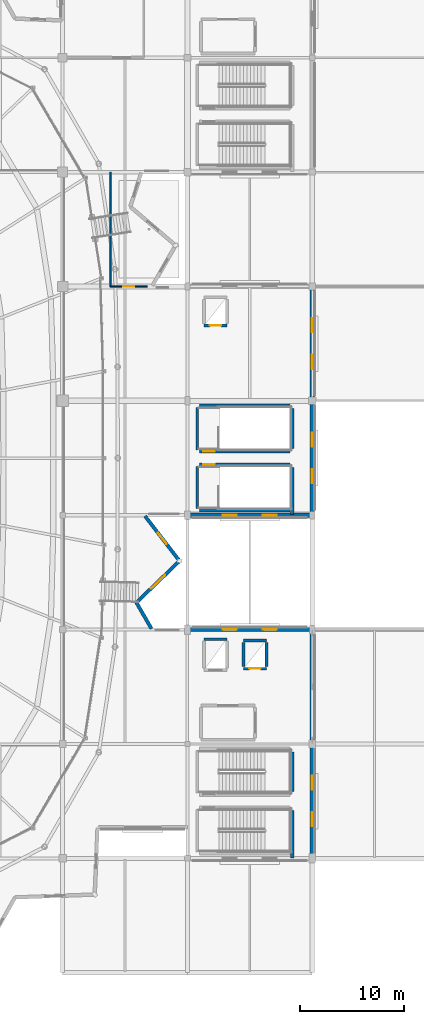
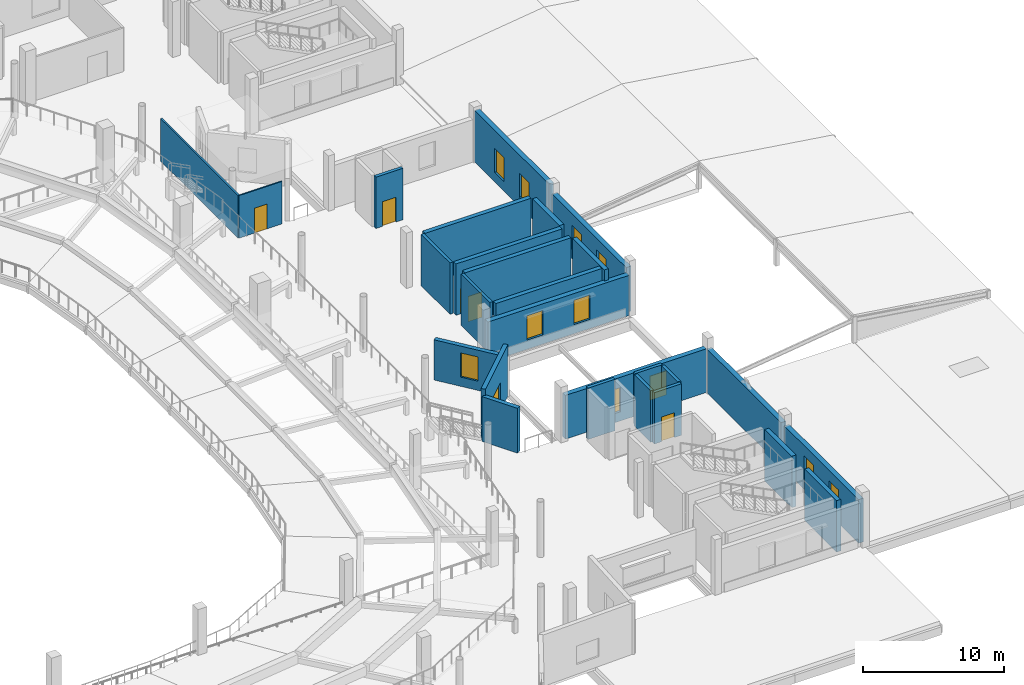
# One storey, part 57 of 77: 27 walls, 12 windows, 5 doors, 17 openings.
"""IFC4 building model written with IfcOpenShell, lengths in metres."""

import ifcopenshell
import ifcopenshell.guid

model = None  # the IFC model being written
_history = None  # IfcOwnerHistory: only IFC2X3 demands one
_inside = {}  # id of a spatial element -> (the spatial element, [elements in it])
_under = {}  # id of a project, library or spatial element -> (it, [spatial elements below it])
_declared = {}  # id of a project -> (the project, [libraries it declares])
_typed = {}  # id of a type object -> (the type object, [elements of that type])
_made_of = {}  # id of a material, layer set ... -> (it, [elements and type objects made of it])


def new_model(schema):
    """Start an empty IFC model of exactly this schema.

    Asked for "IFC4X3", IfcOpenShell would pick the latest addendum, in which some entities
    have other attributes; the version numbers below select the first issue.
    IFC2X3 requires an IfcOwnerHistory on every rooted entity: one is made here for all.
    """
    global model, _history
    if schema == "IFC4X3":
        model = ifcopenshell.file(schema_version=(4, 3, 0, 0))
    else:
        model = ifcopenshell.file(schema=schema)
    _inside.clear()
    _under.clear()
    _declared.clear()
    _typed.clear()
    _made_of.clear()
    _history = None
    if model.schema == "IFC2X3":
        org = make("IfcOrganization", Name="unknown")
        user = make(
            "IfcPersonAndOrganization",
            ThePerson=make("IfcPerson", FamilyName="unknown"),
            TheOrganization=org,
        )
        app = make(
            "IfcApplication",
            ApplicationDeveloper=org,
            Version="unknown",
            ApplicationFullName="unknown",
            ApplicationIdentifier="unknown",
        )
        _history = make(
            "IfcOwnerHistory",
            OwningUser=user,
            OwningApplication=app,
            ChangeAction="ADDED",
            CreationDate=0,
        )
    return model


def make(cls, **values):
    """One entity of the class cls with the attributes given. An attribute that is None is left unset."""
    return model.create_entity(
        cls, **{name: value for name, value in values.items() if value is not None}
    )


def rooted(cls, **values):
    """An entity with a GlobalId (a new one), such as an element, a storey or a relation."""
    return make(cls, GlobalId=ifcopenshell.guid.new(), OwnerHistory=_history, **values)


def si_unit(unit_type, name, prefix=None):
    """IfcSIUnit, for example si_unit("LENGTHUNIT", "METRE", prefix="MILLI")."""
    return make("IfcSIUnit", UnitType=unit_type, Prefix=prefix, Name=name)


def assignment(units):
    """IfcUnitAssignment: the units of a project."""
    return None if units is None else make("IfcUnitAssignment", Units=units)


def point(xyz):
    """IfcCartesianPoint."""
    return None if xyz is None else make("IfcCartesianPoint", Coordinates=xyz)


def direction(xyz):
    """IfcDirection."""
    return None if xyz is None else make("IfcDirection", DirectionRatios=xyz)


def frame(location, z_axis=None, x_axis=None):
    """IfcAxis2Placement3D, a coordinate frame: its origin and axes. An axis left out is left unset."""
    return make(
        "IfcAxis2Placement3D",
        Location=point(location),
        Axis=direction(z_axis),
        RefDirection=direction(x_axis),
    )


def frame_2d(location, x_axis=None):
    """IfcAxis2Placement2D, a coordinate frame in the plane: its origin and x axis."""
    return make(
        "IfcAxis2Placement2D", Location=point(location), RefDirection=direction(x_axis)
    )


def origin():
    """The frame at (0, 0, 0) with its axes left unset."""
    return frame((0.0, 0.0, 0.0))


def place(relative_to, where):
    """IfcLocalPlacement: puts the frame where relative to a parent placement (None: the world)."""
    return make(
        "IfcLocalPlacement", PlacementRelTo=relative_to, RelativePlacement=where
    )


def context(
    kind, dimensions, precision=None, world=None, true_north=None, identifier=None
):
    """IfcGeometricRepresentationContext, for example the 3D "Model" context."""
    return make(
        "IfcGeometricRepresentationContext",
        ContextIdentifier=identifier,
        ContextType=kind,
        CoordinateSpaceDimension=dimensions,
        Precision=precision,
        WorldCoordinateSystem=world,
        TrueNorth=true_north,
    )


def subcontext(parent, identifier, kind, view, scale=None):
    """IfcGeometricRepresentationSubContext, for example "Body" below "Model"."""
    return make(
        "IfcGeometricRepresentationSubContext",
        ContextIdentifier=identifier,
        ContextType=kind,
        ParentContext=parent,
        TargetScale=scale,
        TargetView=view,
    )


def project(units=None, contexts=None):
    """IfcProject with its units and contexts."""
    return rooted(
        "IfcProject",
        Name="project",
        RepresentationContexts=contexts,
        UnitsInContext=assignment(units),
    )


def spatial(cls, under=None, at=None, **own):
    """A site, building, storey or space (cls), placed at a placement, below another one or the project."""
    s = rooted(cls, ObjectPlacement=at, **own)
    if under is not None:
        _under.setdefault(under.id(), (under, []))[1].append(s)
    return s


def profile(cls, at=None, kind="AREA", **sizes):
    """A parametric profile (cls). Its sizes go by their IFC names, for example OverallWidth=200.0."""
    return make(cls, ProfileType=kind, Position=at, **sizes)


def rectangle(**sizes):
    """IfcRectangleProfileDef."""
    return profile("IfcRectangleProfileDef", **sizes)


def extrude(swept, where, along, depth):
    """IfcExtrudedAreaSolid: the profile swept, set in the frame where, extruded along a direction by depth."""
    return make(
        "IfcExtrudedAreaSolid",
        SweptArea=swept,
        Position=where,
        ExtrudedDirection=direction(along),
        Depth=depth,
    )


def shape(context_of_items, identifier, shape_type, items):
    """IfcShapeRepresentation: the items that make up one representation, for example the "Body"."""
    return make(
        "IfcShapeRepresentation",
        ContextOfItems=context_of_items,
        RepresentationIdentifier=identifier,
        RepresentationType=shape_type,
        Items=items,
    )


def material(Name=None, Category=None):
    """IfcMaterial."""
    return make("IfcMaterial", Name=Name, Category=Category)


def layer(
    of_material, thickness, ventilated=None, Name=None, Category=None, Priority=None
):
    """IfcMaterialLayer: one layer of a wall or slab, of a material (None: an air gap)."""
    return make(
        "IfcMaterialLayer",
        Material=of_material,
        LayerThickness=thickness,
        IsVentilated=ventilated,
        Name=Name,
        Category=Category,
        Priority=Priority,
    )


def layer_set(layers, Name=None):
    """IfcMaterialLayerSet."""
    return make("IfcMaterialLayerSet", MaterialLayers=layers, LayerSetName=Name)


def made_of(thing, what):
    """Note that an element or type object is made of a material, layer set ...; save() writes the relation."""
    if what is not None:
        _made_of.setdefault(what.id(), (what, []))[1].append(thing)
    return thing


def type_object(cls, material=None, **own):
    """A type object (cls), such as IfcWallType, which elements share."""
    return made_of(rooted(cls, **own), material)


def element(
    cls,
    number,
    at=None,
    inside=None,
    cuts=None,
    type_object=None,
    material=None,
    context=None,
    identifier="Body",
    shape_type=None,
    held_by="IfcProductDefinitionShape",
    body=None,
    shapes=None,
    **own,
):
    """One element of the class cls, such as IfcWall. Its Tag is "e" and its number.

    at: its placement. inside: the storey or other place that contains it. cuts: it is an
    opening in that element (IfcRelVoidsElement). A single representation is given by context,
    identifier, shape_type and body (its items); several are given by shapes. held_by: the class
    of the entity that holds the representations. save() writes the other relations.
    """
    e = rooted(cls, Tag="e%d" % number, ObjectPlacement=at, **own)
    if body is not None:
        shapes = [shape(context, identifier, shape_type, body)]
    if shapes is not None:
        e.Representation = make(held_by, Representations=shapes)
    if inside is not None:
        _inside.setdefault(inside.id(), (inside, []))[1].append(e)
    if cuts is not None:
        rooted(
            "IfcRelVoidsElement", RelatingBuildingElement=cuts, RelatedOpeningElement=e
        )
    if type_object is not None:
        _typed.setdefault(type_object.id(), (type_object, []))[1].append(e)
    return made_of(e, material)


def fill(opening, filler):
    """IfcRelFillsElement: the door or window that sits in an opening."""
    return rooted(
        "IfcRelFillsElement",
        RelatingOpeningElement=opening,
        RelatedBuildingElement=filler,
    )


def aggregate(whole, parts):
    """IfcRelAggregates: a whole, such as a stair, and the parts it consists of."""
    return rooted("IfcRelAggregates", RelatingObject=whole, RelatedObjects=parts)


def save(model, path):
    """Write the relations noted so far, then the file.

    IfcRelAggregates (storeys below a building ...), IfcRelContainedInSpatialStructure (elements
    in a storey), IfcRelDefinesByType, IfcRelAssociatesMaterial and IfcRelDeclares: one each for
    every whole, place, type object, material and project.
    """
    for whole, parts in _under.values():
        aggregate(whole, parts)
    for where, things in _inside.values():
        rooted(
            "IfcRelContainedInSpatialStructure",
            RelatedElements=things,
            RelatingStructure=where,
        )
    for kind, things in _typed.values():
        rooted("IfcRelDefinesByType", RelatedObjects=things, RelatingType=kind)
    for what, things in _made_of.values():
        rooted("IfcRelAssociatesMaterial", RelatedObjects=things, RelatingMaterial=what)
    for by, libraries in _declared.values():
        rooted("IfcRelDeclares", RelatingContext=by, RelatedDefinitions=libraries)
    model.write(path)


model = new_model("IFC4")

# Units and contexts
model_context = context("Model", 3, precision=1e-05, world=origin(), true_north=direction((0.0, 1.0)))
body_context = subcontext(model_context, "Body", "Model", "MODEL_VIEW")
ifc_project = project(units=[si_unit("LENGTHUNIT", "METRE"), si_unit("AREAUNIT", "SQUARE_METRE"), si_unit("VOLUMEUNIT", "CUBIC_METRE"), si_unit("PLANEANGLEUNIT", "RADIAN"), si_unit("MASSUNIT", "GRAM", prefix="KILO")], contexts=[model_context])

# Site, building, storey
site_placement = place(None, origin())
site = spatial("IfcSite", under=ifc_project, at=site_placement, CompositionType="ELEMENT")
building_placement = place(site_placement, origin())
building = spatial("IfcBuilding", under=site, at=building_placement, Name="Luwafu Chhajja Arena", CompositionType="ELEMENT")
storey_placement = place(building_placement, frame((0.0, 0.0, 14.699951171875)))
storey = spatial("IfcBuildingStorey", under=building, at=storey_placement, Name="L03", CompositionType="ELEMENT", Elevation=14.699951171875)

# Wall
ifc_material_1 = material(Name="Lightweight blockwork partition", Category="masonry")
ifc_layer_1 = layer(ifc_material_1, 0.139892578125, Name="Lightweight blockwork partition")
ifc_layer_set_1 = layer_set([ifc_layer_1], Name="Lightweight blockwork partition")
wall_type_1 = type_object("IfcWallType", Name="Concourse Kiosk Partition 140", PredefinedType="PARTITIONING", material=ifc_layer_set_1)
wall_1_placement = place(storey_placement, frame((144.60009765625, 66.0, 0.0), z_axis=(0.0, 0.0, 1.0), x_axis=(0.0, 1.0, 0.0)))
element("IfcWall", 1, at=wall_1_placement, inside=storey, type_object=wall_type_1, Name="L03 Internal Partition 0298", PredefinedType="PARTITIONING", context=body_context, shape_type="SweptSolid", body=[
    extrude(rectangle(XDim=11.0, YDim=0.139892578125, at=frame_2d((5.5, 0.0))), origin(), (0.0, 0.0, 1.0), 3.68994140625),
])

# Wall, opening, door
ifc_material_2 = material(Name="Gypsum plasterboard partition")
ifc_layer_2 = layer(ifc_material_2, 0.10009765625, Name="Gypsum plasterboard partition")
ifc_layer_set_2 = layer_set([ifc_layer_2], Name="Gypsum plasterboard partition")
wall_type_2 = type_object("IfcWallType", Name="Drywall Lining Partition 100", PredefinedType="PARTITIONING", material=ifc_layer_set_2)
wall_2_placement = place(storey_placement, frame((144.60009765625, 66.0, 0.0), z_axis=(0.0, 0.0, 1.0), x_axis=(1.0, 0.0, 0.0)))
wall_2 = element("IfcWall", 2, at=wall_2_placement, inside=storey, type_object=wall_type_2, Name="L03 Internal Partition 0297", PredefinedType="PARTITIONING", context=body_context, shape_type="SweptSolid", body=[
    extrude(rectangle(XDim=3.5166015625, YDim=0.10009765625, at=frame_2d((1.75830078125, 0.0))), origin(), (0.0, 0.0, 1.0), 3.68994140625),
])
opening_1_placement = place(wall_2_placement, frame((1.23828125, 0.0, 0.0)))
opening_1 = element("IfcOpeningElement", 3, at=opening_1_placement, cuts=wall_2, Name="Opening DR-28", PredefinedType="OPENING", context=body_context, shape_type="SweptSolid", body=[
    extrude(rectangle(XDim=1.0400390625, YDim=2.14990234375, at=frame_2d((0.52001953125, 1.074951171875))), frame((0.0, 0.06005859375, 0.0), z_axis=(0.0, -1.0, 0.0), x_axis=(1.0, 0.0, 0.0)), (0.0, 0.0, 1.0), 0.1201171875),
])
ifc_material_3 = material(Name="Moisture-resistant laminate leaf")
door_type_1 = type_object("IfcDoorType", Name="DR-28", OperationType="NOTDEFINED", PredefinedType="DOOR", material=ifc_material_3)
door_1_placement = place(opening_1_placement, origin())
door_1 = element("IfcDoor", 4, at=door_1_placement, inside=storey, type_object=door_type_1, Name="L03 Interior Door L03-D024", OperationType="SINGLE_SWING_RIGHT", OverallHeight=2.14990234375, OverallWidth=1.0400390625, PredefinedType="DOOR", context=body_context, shape_type="SweptSolid", body=[
    extrude(rectangle(XDim=1.0400390625, YDim=2.14990234375, at=frame_2d((0.52001953125, 1.074951171875))), frame((0.0, 0.02490234375, 0.0), z_axis=(0.0, -1.0, 0.0), x_axis=(1.0, 0.0, 0.0)), (0.0, 0.0, 1.0), 0.050048828125),
])
fill(opening_1, door_1)

# Wall
ifc_material_4 = material(Name="Concrete C35/45", Category="concrete")
ifc_layer_3 = layer(ifc_material_4, 0.260009765625, Name="Concrete C35/45")
ifc_layer_set_3 = layer_set([ifc_layer_3], Name="Concrete C35/45")
wall_type_3 = type_object("IfcWallType", Name="Lift and Riser Shaft Wall 260", PredefinedType="SOLIDWALL", material=ifc_layer_set_3)
wall_3_placement = place(storey_placement, frame((153.590087890625, 32.0849609375, 0.0), z_axis=(0.0, 0.0, 1.0), x_axis=(1.0, 0.0, 0.0)))
element("IfcWall", 5, at=wall_3_placement, inside=storey, type_object=wall_type_3, Name="L03 Lift LF-02 Shaft Wall N", PredefinedType="SOLIDWALL", context=body_context, shape_type="SweptSolid", body=[
    extrude(rectangle(XDim=2.219970703125, YDim=0.260009765625, at=frame_2d((1.10986328125, 0.0))), origin(), (0.0, 0.0, 1.0), 4.4599609375),
])

# Wall, opening, door
wall_4_placement = place(storey_placement, frame((157.389892578125, 29.239990234375, 0.0), z_axis=(0.0, 0.0, 1.0), x_axis=(1.0, 0.0, 0.0)))
wall_4 = element("IfcWall", 6, at=wall_4_placement, inside=storey, type_object=wall_type_3, Name="L03 Lift LF-06 Shaft Wall S", PredefinedType="SOLIDWALL", context=body_context, shape_type="SweptSolid", body=[
    extrude(rectangle(XDim=2.22021484375, YDim=0.260009765625, at=frame_2d((1.110107421875, 0.0))), origin(), (0.0, 0.0, 1.0), 4.4599609375),
])
opening_2_placement = place(wall_4_placement, frame((0.56005859375, 0.0, 0.0)))
opening_2 = element("IfcOpeningElement", 7, at=opening_2_placement, cuts=wall_4, Name="Opening LD-01", PredefinedType="OPENING", context=body_context, shape_type="SweptSolid", body=[
    extrude(rectangle(XDim=1.10009765625, YDim=2.14990234375, at=frame_2d((0.550048828125, 1.074951171875))), frame((0.0, 0.139892578125, 0.0), z_axis=(0.0, -1.0, 0.0), x_axis=(1.0, 0.0, 0.0)), (0.0, 0.0, 1.0), 0.280029296875),
])
ifc_material_5 = material(Name="Brushed stainless steel sliding leaves", Category="steel")
door_type_2 = type_object("IfcDoorType", Name="LD-01", OperationType="SLIDING_TO_LEFT", PredefinedType="DOOR", material=ifc_material_5)
door_2_placement = place(opening_2_placement, origin())
door_2 = element("IfcDoor", 8, at=door_2_placement, inside=storey, type_object=door_type_2, Name="L03 Lift LF-06 Landing Door L03-LD04", OperationType="SLIDING_TO_LEFT", OverallHeight=2.14990234375, OverallWidth=1.10009765625, PredefinedType="DOOR", context=body_context, shape_type="SweptSolid", body=[
    extrude(rectangle(XDim=1.10009765625, YDim=2.14990234375, at=frame_2d((0.550048828125, 1.074951171875))), frame((0.0, 0.02490234375, 0.0), z_axis=(0.0, -1.0, 0.0), x_axis=(1.0, 0.0, 0.0)), (0.0, 0.0, 1.0), 0.050048828125),
])
fill(opening_2, door_2)

# Walls
wall_5_placement = place(storey_placement, frame((157.389892578125, 31.9599609375, 0.0), z_axis=(0.0, 0.0, 1.0), x_axis=(1.0, 0.0, 0.0)))
element("IfcWall", 9, at=wall_5_placement, inside=storey, type_object=wall_type_3, Name="L03 Lift LF-06 Shaft Wall N", PredefinedType="SOLIDWALL", context=body_context, shape_type="SweptSolid", body=[
    extrude(rectangle(XDim=2.22021484375, YDim=0.260009765625, at=frame_2d((1.110107421875, 0.0))), origin(), (0.0, 0.0, 1.0), 4.4599609375),
])
for number, where, z_axis, x_axis, name in (
    (10, (157.389892578125, 29.43994140625, 0.0), (0.0, 0.0, 1.0), (0.0, 1.0, 0.0), "L03 Lift LF-06 Shaft Wall W"),
    (11, (159.610107421875, 29.43994140625, 0.0), (0.0, 0.0, 1.0), (0.0, 1.0, 0.0), "L03 Lift LF-06 Shaft Wall E"),
):
    element("IfcWall", number, at=place(storey_placement, frame(where, z_axis=z_axis, x_axis=x_axis)), inside=storey, type_object=wall_type_3, Name=name, PredefinedType="SOLIDWALL", context=body_context, shape_type="SweptSolid", body=[
        extrude(rectangle(XDim=2.320068359375, YDim=0.260009765625, at=frame_2d((1.16015625, 0.0))), origin(), (0.0, 0.0, 1.0), 4.4599609375),
    ])

# Wall, opening, door
wall_6_placement = place(storey_placement, frame((153.590087890625, 62.239990234375, 0.0), z_axis=(0.0, 0.0, 1.0), x_axis=(1.0, 0.0, 0.0)))
wall_6 = element("IfcWall", 12, at=wall_6_placement, inside=storey, type_object=wall_type_3, Name="L03 Lift LF-10 Shaft Wall S", PredefinedType="SOLIDWALL", context=body_context, shape_type="SweptSolid", body=[
    extrude(rectangle(XDim=2.219970703125, YDim=0.260009765625, at=frame_2d((1.10986328125, 0.0))), origin(), (0.0, 0.0, 1.0), 4.4599609375),
])
opening_3_placement = place(wall_6_placement, frame((0.56005859375, 0.0, 0.0)))
opening_3 = element("IfcOpeningElement", 13, at=opening_3_placement, cuts=wall_6, Name="Opening LD-01", PredefinedType="OPENING", context=body_context, shape_type="SweptSolid", body=[
    extrude(rectangle(XDim=1.10009765625, YDim=2.14990234375, at=frame_2d((0.550048828125, 1.074951171875))), frame((0.0, 0.139892578125, 0.0), z_axis=(0.0, -1.0, 0.0), x_axis=(1.0, 0.0, 0.0)), (0.0, 0.0, 1.0), 0.280029296875),
])
door_3_placement = place(opening_3_placement, origin())
door_3 = element("IfcDoor", 14, at=door_3_placement, inside=storey, type_object=door_type_2, Name="L03 Lift LF-10 Landing Door L03-LD10", OperationType="SLIDING_TO_LEFT", OverallHeight=2.14990234375, OverallWidth=1.10009765625, PredefinedType="DOOR", context=body_context, shape_type="SweptSolid", body=[
    extrude(rectangle(XDim=1.10009765625, YDim=2.14990234375, at=frame_2d((0.550048828125, 1.074951171875))), frame((0.0, 0.02490234375, 0.0), z_axis=(0.0, -1.0, 0.0), x_axis=(1.0, 0.0, 0.0)), (0.0, 0.0, 1.0), 0.050048828125),
])
fill(opening_3, door_3)

# Wall
ifc_material_6 = material(Name="Precast concrete C40/50", Category="concrete")
ifc_layer_4 = layer(ifc_material_6, 0.340087890625, Name="Precast concrete C40/50")
ifc_layer_set_4 = layer_set([ifc_layer_4], Name="Precast concrete C40/50")
wall_type_4 = type_object("IfcWallType", Name="Pleated Bowl V-Fold Wall 340", PredefinedType="USERDEFINED", material=ifc_layer_set_4)
wall_7_placement = place(storey_placement, frame((148.550537109375, 33.080078125, 0.0), z_axis=(0.0, 0.0, 1.0), x_axis=(-0.497249451908, 0.86760762017, 0.0)))
element("IfcWall", 15, at=wall_7_placement, inside=storey, type_object=wall_type_4, Name="L03 Pleated Bowl V-Fold Wall 61", ObjectType="PLEATED FACADE WALL", PredefinedType="USERDEFINED", context=body_context, shape_type="SweptSolid", body=[
    extrude(rectangle(XDim=2.9111328125, YDim=0.340087890625, at=frame_2d((1.45556640625, 0.0))), origin(), (0.0, 0.0, 1.0), 3.89013671875),
])

# Wall, opening, window
wall_8_placement = place(storey_placement, frame((147.10302734375, 35.605712890625, 0.0), z_axis=(0.0, 0.0, 1.0), x_axis=(0.719894969607, 0.694083015737, 0.0)))
wall_8 = element("IfcWall", 16, at=wall_8_placement, inside=storey, type_object=wall_type_4, Name="L03 Pleated Bowl V-Fold Wall 62", ObjectType="PLEATED FACADE WALL", PredefinedType="USERDEFINED", context=body_context, shape_type="SweptSolid", body=[
    extrude(rectangle(XDim=5.76025390625, YDim=0.340087890625, at=frame_2d((2.880126953125, 0.0))), origin(), (0.0, 0.0, 1.0), 4.455078125),
])
opening_4_placement = place(wall_8_placement, frame((1.93017578125, 0.0, 0.85009765625)))
opening_4 = element("IfcOpeningElement", 17, at=opening_4_placement, cuts=wall_8, Name="Opening WN-15", PredefinedType="OPENING", context=body_context, shape_type="SweptSolid", body=[
    extrude(rectangle(XDim=1.89990234375, YDim=1.60009765625, at=frame_2d((0.949951171875, 0.800048828125))), frame((0.0, 0.179931640625, 0.0), z_axis=(0.0, -1.0, 0.0), x_axis=(1.0, 0.0, 0.0)), (0.0, 0.0, 1.0), 0.360107421875),
])
ifc_material_7 = material(Name="Solar-control laminated glass", Category="glass")
window_type_1 = type_object("IfcWindowType", Name="Pleated Drum Inward-Fold Clerestory 1900x1600", PartitioningType="SINGLE_PANEL", PredefinedType="WINDOW", material=ifc_material_7)
window_1_placement = place(opening_4_placement, origin())
window_1 = element("IfcWindow", 18, at=window_1_placement, inside=storey, type_object=window_type_1, Name="L03 Pleated Bowl Lancet Window 076", OverallHeight=1.60009765625, OverallWidth=1.89990234375, PartitioningType="SINGLE_PANEL", PredefinedType="WINDOW", context=body_context, shape_type="SweptSolid", body=[
    extrude(rectangle(XDim=1.89990234375, YDim=1.60009765625, at=frame_2d((0.949951171875, 0.800048828125))), frame((0.0, 0.030029296875, 0.0), z_axis=(0.0, -1.0, 0.0), x_axis=(1.0, 0.0, 0.0)), (0.0, 0.0, 1.0), 0.06005859375),
])
fill(opening_4, window_1)

wall_9_placement = place(storey_placement, frame((151.249755859375, 39.603759765625, 0.0), z_axis=(0.0, 0.0, 1.0), x_axis=(-0.609647920541, 0.792672323839, 0.0)))
wall_9 = element("IfcWall", 19, at=wall_9_placement, inside=storey, type_object=wall_type_4, Name="L03 Pleated Bowl V-Fold Wall 63", ObjectType="PLEATED FACADE WALL", PredefinedType="USERDEFINED", context=body_context, shape_type="SweptSolid", body=[
    extrude(rectangle(XDim=5.445068359375, YDim=0.340087890625, at=frame_2d((2.72265625, 0.0))), origin(), (0.0, 0.0, 1.0), 3.489990234375),
])
opening_5_placement = place(wall_9_placement, frame((2.047607421875, 0.0, 0.800048828125)))
opening_5 = element("IfcOpeningElement", 20, at=opening_5_placement, cuts=wall_9, Name="Opening WN-17", PredefinedType="OPENING", context=body_context, shape_type="SweptSolid", body=[
    extrude(rectangle(XDim=1.35009765625, YDim=2.10009765625, at=frame_2d((0.675048828125, 1.050048828125))), frame((0.0, 0.179931640625, 0.0), z_axis=(0.0, -1.0, 0.0), x_axis=(1.0, 0.0, 0.0)), (0.0, 0.0, 1.0), 0.360107421875),
])
window_type_2 = type_object("IfcWindowType", Name="Exhibition Mezzanine Lancet Window 1350x2100", PartitioningType="SINGLE_PANEL", PredefinedType="WINDOW", material=ifc_material_7)
window_2_placement = place(opening_5_placement, origin())
window_2 = element("IfcWindow", 21, at=window_2_placement, inside=storey, type_object=window_type_2, Name="L03 Pleated Bowl Lancet Window 077", OverallHeight=2.10009765625, OverallWidth=1.35009765625, PartitioningType="SINGLE_PANEL", PredefinedType="WINDOW", context=body_context, shape_type="SweptSolid", body=[
    extrude(rectangle(XDim=1.35009765625, YDim=2.10009765625, at=frame_2d((0.675048828125, 1.050048828125))), frame((0.0, 0.030029296875, 0.0), z_axis=(0.0, -1.0, 0.0), x_axis=(1.0, 0.0, 0.0)), (0.0, 0.0, 1.0), 0.06005859375),
])
fill(opening_5, window_2)

# Walls
ifc_material_8 = material(Name="Concrete C40/50", Category="concrete")
ifc_layer_5 = layer(ifc_material_8, 0.35009765625, Name="Concrete C40/50")
ifc_layer_set_5 = layer_set([ifc_layer_5], Name="Concrete C40/50")
wall_type_5 = type_object("IfcWallType", Name="RC Core Shear Wall 350", PredefinedType="SOLIDWALL", material=ifc_layer_set_5)
wall_10_placement = place(storey_placement, frame((162.072021484375, 11.050048828125, 0.0), z_axis=(0.0, 0.0, 1.0), x_axis=(0.0, 1.0, 0.0)))
element("IfcWall", 22, at=wall_10_placement, inside=storey, type_object=wall_type_5, Name="L03 Stair ST-03 Core Shear Wall E", PredefinedType="SOLIDWALL", context=body_context, shape_type="SweptSolid", body=[
    extrude(rectangle(XDim=4.5400390625, YDim=0.35009765625, at=frame_2d((2.27001953125, 0.0))), origin(), (0.0, 0.0, 1.0), 4.4599609375),
])
wall_11_placement = place(storey_placement, frame((162.072021484375, 17.409912109375, 0.0), z_axis=(0.0, 0.0, 1.0), x_axis=(0.0, 1.0, 0.0)))
element("IfcWall", 23, at=wall_11_placement, inside=storey, type_object=wall_type_5, Name="L03 Stair ST-04 Core Shear Wall E", PredefinedType="SOLIDWALL", context=body_context, shape_type="SweptSolid", body=[
    extrude(rectangle(XDim=3.840087890625, YDim=0.35009765625, at=frame_2d((1.919921875, 0.0))), origin(), (0.0, 0.0, 1.0), 4.4599609375),
])
wall_12_placement = place(storey_placement, frame((162.072021484375, 44.050048828125, 0.0), z_axis=(0.0, 0.0, 1.0), x_axis=(0.0, 1.0, 0.0)))
element("IfcWall", 24, at=wall_12_placement, inside=storey, type_object=wall_type_5, Name="L03 Stair ST-11 Core Shear Wall E", PredefinedType="SOLIDWALL", context=body_context, shape_type="SweptSolid", body=[
    extrude(rectangle(XDim=4.5400390625, YDim=0.35009765625, at=frame_2d((2.27001953125, 0.0))), origin(), (0.0, 0.0, 1.0), 4.4599609375),
])
wall_13_placement = place(storey_placement, frame((153.14990234375, 44.47802734375, 0.0), z_axis=(0.0, 0.0, 1.0), x_axis=(1.0, 0.0, 0.0)))
element("IfcWall", 25, at=wall_13_placement, inside=storey, type_object=wall_type_5, Name="L03 Stair ST-11 Core Shear Wall S", PredefinedType="SOLIDWALL", context=body_context, shape_type="SweptSolid", body=[
    extrude(rectangle(XDim=8.7001953125, YDim=0.35009765625, at=frame_2d((4.35009765625, 0.0))), origin(), (0.0, 0.0, 1.0), 4.4599609375),
])

# Wall, opening, door
wall_14_placement = place(storey_placement, frame((153.14990234375, 48.862060546875, 0.0), z_axis=(0.0, 0.0, 1.0), x_axis=(1.0, 0.0, 0.0)))
wall_14 = element("IfcWall", 26, at=wall_14_placement, inside=storey, type_object=wall_type_5, Name="L03 Stair ST-11 Core Shear Wall N", PredefinedType="SOLIDWALL", context=body_context, shape_type="SweptSolid", body=[
    extrude(rectangle(XDim=8.7001953125, YDim=0.35009765625, at=frame_2d((4.35009765625, 0.0))), origin(), (0.0, 0.0, 1.0), 4.4599609375),
])
opening_6_placement = place(wall_14_placement, frame((0.35009765625, 0.0, 0.0)))
opening_6 = element("IfcOpeningElement", 27, at=opening_6_placement, cuts=wall_14, Name="Opening DR-06", PredefinedType="OPENING", context=body_context, shape_type="SweptSolid", body=[
    extrude(rectangle(XDim=1.14990234375, YDim=2.199951171875, at=frame_2d((0.574951171875, 1.10009765625))), frame((0.0, 0.18505859375, 0.0), z_axis=(0.0, -1.0, 0.0), x_axis=(1.0, 0.0, 0.0)), (0.0, 0.0, 1.0), 0.3701171875),
])
ifc_material_9 = material(Name="Fire-rated hardwood and steel core", Category="steel")
door_type_3 = type_object("IfcDoorType", Name="DR-06", OperationType="NOTDEFINED", PredefinedType="DOOR", material=ifc_material_9)
door_4_placement = place(opening_6_placement, origin())
door_4 = element("IfcDoor", 28, at=door_4_placement, inside=storey, type_object=door_type_3, Name="L03 Escape Stair ST-11 Fire Door L03-D019", OperationType="SINGLE_SWING_RIGHT", OverallHeight=2.199951171875, OverallWidth=1.14990234375, PredefinedType="DOOR", context=body_context, shape_type="SweptSolid", body=[
    extrude(rectangle(XDim=1.14990234375, YDim=2.199951171875, at=frame_2d((0.574951171875, 1.10009765625))), frame((0.0, 0.02490234375, 0.0), z_axis=(0.0, -1.0, 0.0), x_axis=(1.0, 0.0, 0.0)), (0.0, 0.0, 1.0), 0.050048828125),
])
fill(opening_6, door_4)

# Wall
wall_15_placement = place(storey_placement, frame((162.072021484375, 50.409912109375, 0.0), z_axis=(0.0, 0.0, 1.0), x_axis=(0.0, 1.0, 0.0)))
element("IfcWall", 29, at=wall_15_placement, inside=storey, type_object=wall_type_5, Name="L03 Stair ST-12 Core Shear Wall E", PredefinedType="SOLIDWALL", context=body_context, shape_type="SweptSolid", body=[
    extrude(rectangle(XDim=3.840087890625, YDim=0.35009765625, at=frame_2d((1.919921875, 0.0))), origin(), (0.0, 0.0, 1.0), 4.4599609375),
])

# Wall, opening, door
wall_16_placement = place(storey_placement, frame((153.14990234375, 50.137939453125, 0.0), z_axis=(0.0, 0.0, 1.0), x_axis=(1.0, 0.0, 0.0)))
wall_16 = element("IfcWall", 30, at=wall_16_placement, inside=storey, type_object=wall_type_5, Name="L03 Stair ST-12 Core Shear Wall S", PredefinedType="SOLIDWALL", context=body_context, shape_type="SweptSolid", body=[
    extrude(rectangle(XDim=8.7001953125, YDim=0.35009765625, at=frame_2d((4.35009765625, 0.0))), origin(), (0.0, 0.0, 1.0), 4.4599609375),
])
opening_7_placement = place(wall_16_placement, frame((0.35009765625, 0.0, 0.0)))
opening_7 = element("IfcOpeningElement", 31, at=opening_7_placement, cuts=wall_16, Name="Opening DR-06", PredefinedType="OPENING", context=body_context, shape_type="SweptSolid", body=[
    extrude(rectangle(XDim=1.14990234375, YDim=2.199951171875, at=frame_2d((0.574951171875, 1.10009765625))), frame((0.0, 0.18505859375, 0.0), z_axis=(0.0, -1.0, 0.0), x_axis=(1.0, 0.0, 0.0)), (0.0, 0.0, 1.0), 0.3701171875),
])
door_5_placement = place(opening_7_placement, origin())
door_5 = element("IfcDoor", 32, at=door_5_placement, inside=storey, type_object=door_type_3, Name="L03 Escape Stair ST-12 Fire Door L03-D020", OperationType="SINGLE_SWING_LEFT", OverallHeight=2.199951171875, OverallWidth=1.14990234375, PredefinedType="DOOR", context=body_context, shape_type="SweptSolid", body=[
    extrude(rectangle(XDim=1.14990234375, YDim=2.199951171875, at=frame_2d((0.574951171875, 1.10009765625))), frame((0.0, 0.02490234375, 0.0), z_axis=(0.0, -1.0, 0.0), x_axis=(1.0, 0.0, 0.0)), (0.0, 0.0, 1.0), 0.050048828125),
])
fill(opening_7, door_5)

# Wall
wall_17_placement = place(storey_placement, frame((153.14990234375, 54.52197265625, 0.0), z_axis=(0.0, 0.0, 1.0), x_axis=(1.0, 0.0, 0.0)))
element("IfcWall", 33, at=wall_17_placement, inside=storey, type_object=wall_type_5, Name="L03 Stair ST-12 Core Shear Wall N", PredefinedType="SOLIDWALL", context=body_context, shape_type="SweptSolid", body=[
    extrude(rectangle(XDim=8.7001953125, YDim=0.35009765625, at=frame_2d((4.35009765625, 0.0))), origin(), (0.0, 0.0, 1.0), 4.4599609375),
])

# Wall, openings, windows
ifc_layer_6 = layer(ifc_material_8, 0.39990234375, Name="Concrete C40/50")
ifc_layer_set_6 = layer_set([ifc_layer_6], Name="Concrete C40/50")
wall_type_6 = type_object("IfcWallType", Name="RC Core Shear Wall 400", PredefinedType="SOLIDWALL", material=ifc_layer_set_6)
wall_18_placement = place(storey_placement, frame((164.0, 11.219970703125, 0.0), z_axis=(0.0, 0.0, 1.0), x_axis=(0.0, 1.0, 0.0)))
wall_18 = element("IfcWall", 34, at=wall_18_placement, inside=storey, type_object=wall_type_6, Name="L03 Exterior Wall WEX-L03-199", PredefinedType="SOLIDWALL", context=body_context, shape_type="SweptSolid", body=[
    extrude(rectangle(XDim=10.56005859375, YDim=0.39990234375, at=frame_2d((5.280029296875, 0.0))), origin(), (0.0, 0.0, 1.0), 3.7900390625),
])
opening_8_placement = place(wall_18_placement, frame((2.844970703125, 0.0, 0.800048828125)))
opening_8 = element("IfcOpeningElement", 35, at=opening_8_placement, cuts=wall_18, Name="Opening WN-17", PredefinedType="OPENING", context=body_context, shape_type="SweptSolid", body=[
    extrude(rectangle(XDim=1.35009765625, YDim=2.10009765625, at=frame_2d((0.675048828125, 1.050048828125))), frame((0.0, 0.2099609375, 0.0), z_axis=(0.0, -1.0, 0.0), x_axis=(1.0, 0.0, 0.0)), (0.0, 0.0, 1.0), 0.419921875),
])
opening_9_placement = place(wall_18_placement, frame((6.364990234375, 0.0, 0.800048828125)))
opening_9 = element("IfcOpeningElement", 36, at=opening_9_placement, cuts=wall_18, Name="Opening WN-17", PredefinedType="OPENING", context=body_context, shape_type="SweptSolid", body=[
    extrude(rectangle(XDim=1.35009765625, YDim=2.10009765625, at=frame_2d((0.675048828125, 1.050048828125))), frame((0.0, 0.2099609375, 0.0), z_axis=(0.0, -1.0, 0.0), x_axis=(1.0, 0.0, 0.0)), (0.0, 0.0, 1.0), 0.419921875),
])
window_3_placement = place(opening_8_placement, origin())
window_3 = element("IfcWindow", 37, at=window_3_placement, inside=storey, type_object=window_type_2, Name="L03 Facade Window 148", OverallHeight=2.10009765625, OverallWidth=1.35009765625, PartitioningType="SINGLE_PANEL", PredefinedType="WINDOW", context=body_context, shape_type="SweptSolid", body=[
    extrude(rectangle(XDim=1.35009765625, YDim=2.10009765625, at=frame_2d((0.675048828125, 1.050048828125))), frame((0.0, 0.030029296875, 0.0), z_axis=(0.0, -1.0, 0.0), x_axis=(1.0, 0.0, 0.0)), (0.0, 0.0, 1.0), 0.06005859375),
])
fill(opening_8, window_3)
window_4_placement = place(opening_9_placement, origin())
window_4 = element("IfcWindow", 38, at=window_4_placement, inside=storey, type_object=window_type_2, Name="L03 Facade Window 149", OverallHeight=2.10009765625, OverallWidth=1.35009765625, PartitioningType="SINGLE_PANEL", PredefinedType="WINDOW", context=body_context, shape_type="SweptSolid", body=[
    extrude(rectangle(XDim=1.35009765625, YDim=2.10009765625, at=frame_2d((0.675048828125, 1.050048828125))), frame((0.0, 0.030029296875, 0.0), z_axis=(0.0, -1.0, 0.0), x_axis=(1.0, 0.0, 0.0)), (0.0, 0.0, 1.0), 0.06005859375),
])
fill(opening_9, window_4)

wall_19_placement = place(storey_placement, frame((152.219970703125, 33.0, 0.0), z_axis=(0.0, 0.0, 1.0), x_axis=(1.0, 0.0, 0.0)))
wall_19 = element("IfcWall", 39, at=wall_19_placement, inside=storey, type_object=wall_type_6, Name="L03 Exterior Wall WEX-L03-200", PredefinedType="SOLIDWALL", context=body_context, shape_type="SweptSolid", body=[
    extrude(rectangle(XDim=11.56005859375, YDim=0.39990234375, at=frame_2d((5.780029296875, 0.0))), origin(), (0.0, 0.0, 1.0), 3.7900390625),
])
opening_10_placement = place(wall_19_placement, frame((3.17822265625, 0.0, 0.800048828125)))
opening_10 = element("IfcOpeningElement", 40, at=opening_10_placement, cuts=wall_19, Name="Opening WN-17", PredefinedType="OPENING", context=body_context, shape_type="SweptSolid", body=[
    extrude(rectangle(XDim=1.35009765625, YDim=2.10009765625, at=frame_2d((0.675048828125, 1.050048828125))), frame((0.0, 0.2099609375, 0.0), z_axis=(0.0, -1.0, 0.0), x_axis=(1.0, 0.0, 0.0)), (0.0, 0.0, 1.0), 0.419921875),
])
opening_11_placement = place(wall_19_placement, frame((7.03173828125, 0.0, 0.800048828125)))
opening_11 = element("IfcOpeningElement", 41, at=opening_11_placement, cuts=wall_19, Name="Opening WN-17", PredefinedType="OPENING", context=body_context, shape_type="SweptSolid", body=[
    extrude(rectangle(XDim=1.35009765625, YDim=2.10009765625, at=frame_2d((0.675048828125, 1.050048828125))), frame((0.0, 0.2099609375, 0.0), z_axis=(0.0, -1.0, 0.0), x_axis=(1.0, 0.0, 0.0)), (0.0, 0.0, 1.0), 0.419921875),
])
window_5_placement = place(opening_10_placement, origin())
window_5 = element("IfcWindow", 42, at=window_5_placement, inside=storey, type_object=window_type_2, Name="L03 Facade Window 150", OverallHeight=2.10009765625, OverallWidth=1.35009765625, PartitioningType="SINGLE_PANEL", PredefinedType="WINDOW", context=body_context, shape_type="SweptSolid", body=[
    extrude(rectangle(XDim=1.35009765625, YDim=2.10009765625, at=frame_2d((0.675048828125, 1.050048828125))), frame((0.0, 0.030029296875, 0.0), z_axis=(0.0, -1.0, 0.0), x_axis=(1.0, 0.0, 0.0)), (0.0, 0.0, 1.0), 0.06005859375),
])
fill(opening_10, window_5)
window_6_placement = place(opening_11_placement, origin())
window_6 = element("IfcWindow", 43, at=window_6_placement, inside=storey, type_object=window_type_2, Name="L03 Facade Window 151", OverallHeight=2.10009765625, OverallWidth=1.35009765625, PartitioningType="SINGLE_PANEL", PredefinedType="WINDOW", context=body_context, shape_type="SweptSolid", body=[
    extrude(rectangle(XDim=1.35009765625, YDim=2.10009765625, at=frame_2d((0.675048828125, 1.050048828125))), frame((0.0, 0.030029296875, 0.0), z_axis=(0.0, -1.0, 0.0), x_axis=(1.0, 0.0, 0.0)), (0.0, 0.0, 1.0), 0.06005859375),
])
fill(opening_11, window_6)

# Wall
wall_20_placement = place(storey_placement, frame((164.0, 22.219970703125, 0.0), z_axis=(0.0, 0.0, 1.0), x_axis=(0.0, 1.0, 0.0)))
element("IfcWall", 44, at=wall_20_placement, inside=storey, type_object=wall_type_6, Name="L03 Exterior Wall WEX-L03-201", PredefinedType="SOLIDWALL", context=body_context, shape_type="SweptSolid", body=[
    extrude(rectangle(XDim=10.56005859375, YDim=0.39990234375, at=frame_2d((5.280029296875, 0.0))), origin(), (0.0, 0.0, 1.0), 3.7900390625),
])

# Wall, openings, windows
wall_21_placement = place(storey_placement, frame((152.219970703125, 44.0, 0.0), z_axis=(0.0, 0.0, 1.0), x_axis=(1.0, 0.0, 0.0)))
wall_21 = element("IfcWall", 45, at=wall_21_placement, inside=storey, type_object=wall_type_6, Name="L03 Exterior Wall WEX-L03-202", PredefinedType="SOLIDWALL", context=body_context, shape_type="SweptSolid", body=[
    extrude(rectangle(XDim=11.56005859375, YDim=0.39990234375, at=frame_2d((5.780029296875, 0.0))), origin(), (0.0, 0.0, 1.0), 3.489990234375),
])
opening_12_placement = place(wall_21_placement, frame((3.17822265625, 0.0, 0.800048828125)))
opening_12 = element("IfcOpeningElement", 46, at=opening_12_placement, cuts=wall_21, Name="Opening WN-17", PredefinedType="OPENING", context=body_context, shape_type="SweptSolid", body=[
    extrude(rectangle(XDim=1.35009765625, YDim=2.10009765625, at=frame_2d((0.675048828125, 1.050048828125))), frame((0.0, 0.2099609375, 0.0), z_axis=(0.0, -1.0, 0.0), x_axis=(1.0, 0.0, 0.0)), (0.0, 0.0, 1.0), 0.419921875),
])
opening_13_placement = place(wall_21_placement, frame((7.03173828125, 0.0, 0.800048828125)))
opening_13 = element("IfcOpeningElement", 47, at=opening_13_placement, cuts=wall_21, Name="Opening WN-17", PredefinedType="OPENING", context=body_context, shape_type="SweptSolid", body=[
    extrude(rectangle(XDim=1.35009765625, YDim=2.10009765625, at=frame_2d((0.675048828125, 1.050048828125))), frame((0.0, 0.2099609375, 0.0), z_axis=(0.0, -1.0, 0.0), x_axis=(1.0, 0.0, 0.0)), (0.0, 0.0, 1.0), 0.419921875),
])
window_7_placement = place(opening_12_placement, origin())
window_7 = element("IfcWindow", 48, at=window_7_placement, inside=storey, type_object=window_type_2, Name="L03 Facade Window 152", OverallHeight=2.10009765625, OverallWidth=1.35009765625, PartitioningType="SINGLE_PANEL", PredefinedType="WINDOW", context=body_context, shape_type="SweptSolid", body=[
    extrude(rectangle(XDim=1.35009765625, YDim=2.10009765625, at=frame_2d((0.675048828125, 1.050048828125))), frame((0.0, 0.030029296875, 0.0), z_axis=(0.0, -1.0, 0.0), x_axis=(1.0, 0.0, 0.0)), (0.0, 0.0, 1.0), 0.06005859375),
])
fill(opening_12, window_7)
window_8_placement = place(opening_13_placement, origin())
window_8 = element("IfcWindow", 49, at=window_8_placement, inside=storey, type_object=window_type_2, Name="L03 Facade Window 153", OverallHeight=2.10009765625, OverallWidth=1.35009765625, PartitioningType="SINGLE_PANEL", PredefinedType="WINDOW", context=body_context, shape_type="SweptSolid", body=[
    extrude(rectangle(XDim=1.35009765625, YDim=2.10009765625, at=frame_2d((0.675048828125, 1.050048828125))), frame((0.0, 0.030029296875, 0.0), z_axis=(0.0, -1.0, 0.0), x_axis=(1.0, 0.0, 0.0)), (0.0, 0.0, 1.0), 0.06005859375),
])
fill(opening_13, window_8)

wall_22_placement = place(storey_placement, frame((164.0, 44.219970703125, 0.0), z_axis=(0.0, 0.0, 1.0), x_axis=(0.0, 1.0, 0.0)))
wall_22 = element("IfcWall", 50, at=wall_22_placement, inside=storey, type_object=wall_type_6, Name="L03 Exterior Wall WEX-L03-203", PredefinedType="SOLIDWALL", context=body_context, shape_type="SweptSolid", body=[
    extrude(rectangle(XDim=10.56005859375, YDim=0.39990234375, at=frame_2d((5.280029296875, 0.0))), origin(), (0.0, 0.0, 1.0), 3.89013671875),
])
opening_14_placement = place(wall_22_placement, frame((2.844970703125, 0.0, 0.800048828125)))
opening_14 = element("IfcOpeningElement", 51, at=opening_14_placement, cuts=wall_22, Name="Opening WN-17", PredefinedType="OPENING", context=body_context, shape_type="SweptSolid", body=[
    extrude(rectangle(XDim=1.35009765625, YDim=2.10009765625, at=frame_2d((0.675048828125, 1.050048828125))), frame((0.0, 0.2099609375, 0.0), z_axis=(0.0, -1.0, 0.0), x_axis=(1.0, 0.0, 0.0)), (0.0, 0.0, 1.0), 0.419921875),
])
opening_15_placement = place(wall_22_placement, frame((6.364990234375, 0.0, 0.800048828125)))
opening_15 = element("IfcOpeningElement", 52, at=opening_15_placement, cuts=wall_22, Name="Opening WN-17", PredefinedType="OPENING", context=body_context, shape_type="SweptSolid", body=[
    extrude(rectangle(XDim=1.35009765625, YDim=2.10009765625, at=frame_2d((0.675048828125, 1.050048828125))), frame((0.0, 0.2099609375, 0.0), z_axis=(0.0, -1.0, 0.0), x_axis=(1.0, 0.0, 0.0)), (0.0, 0.0, 1.0), 0.419921875),
])
window_9_placement = place(opening_14_placement, origin())
window_9 = element("IfcWindow", 53, at=window_9_placement, inside=storey, type_object=window_type_2, Name="L03 Facade Window 154", OverallHeight=2.10009765625, OverallWidth=1.35009765625, PartitioningType="SINGLE_PANEL", PredefinedType="WINDOW", context=body_context, shape_type="SweptSolid", body=[
    extrude(rectangle(XDim=1.35009765625, YDim=2.10009765625, at=frame_2d((0.675048828125, 1.050048828125))), frame((0.0, 0.030029296875, 0.0), z_axis=(0.0, -1.0, 0.0), x_axis=(1.0, 0.0, 0.0)), (0.0, 0.0, 1.0), 0.06005859375),
])
fill(opening_14, window_9)
window_10_placement = place(opening_15_placement, origin())
window_10 = element("IfcWindow", 54, at=window_10_placement, inside=storey, type_object=window_type_2, Name="L03 Facade Window 155", OverallHeight=2.10009765625, OverallWidth=1.35009765625, PartitioningType="SINGLE_PANEL", PredefinedType="WINDOW", context=body_context, shape_type="SweptSolid", body=[
    extrude(rectangle(XDim=1.35009765625, YDim=2.10009765625, at=frame_2d((0.675048828125, 1.050048828125))), frame((0.0, 0.030029296875, 0.0), z_axis=(0.0, -1.0, 0.0), x_axis=(1.0, 0.0, 0.0)), (0.0, 0.0, 1.0), 0.06005859375),
])
fill(opening_15, window_10)

wall_23_placement = place(storey_placement, frame((164.0, 55.219970703125, 0.0), z_axis=(0.0, 0.0, 1.0), x_axis=(0.0, 1.0, 0.0)))
wall_23 = element("IfcWall", 55, at=wall_23_placement, inside=storey, type_object=wall_type_6, Name="L03 Exterior Wall WEX-L03-205", PredefinedType="SOLIDWALL", context=body_context, shape_type="SweptSolid", body=[
    extrude(rectangle(XDim=10.56005859375, YDim=0.39990234375, at=frame_2d((5.280029296875, 0.0))), origin(), (0.0, 0.0, 1.0), 4.465087890625),
])
opening_16_placement = place(wall_23_placement, frame((2.844970703125, 0.0, 0.800048828125)))
opening_16 = element("IfcOpeningElement", 56, at=opening_16_placement, cuts=wall_23, Name="Opening WN-17", PredefinedType="OPENING", context=body_context, shape_type="SweptSolid", body=[
    extrude(rectangle(XDim=1.35009765625, YDim=2.10009765625, at=frame_2d((0.675048828125, 1.050048828125))), frame((0.0, 0.2099609375, 0.0), z_axis=(0.0, -1.0, 0.0), x_axis=(1.0, 0.0, 0.0)), (0.0, 0.0, 1.0), 0.419921875),
])
opening_17_placement = place(wall_23_placement, frame((6.364990234375, 0.0, 0.800048828125)))
opening_17 = element("IfcOpeningElement", 57, at=opening_17_placement, cuts=wall_23, Name="Opening WN-17", PredefinedType="OPENING", context=body_context, shape_type="SweptSolid", body=[
    extrude(rectangle(XDim=1.35009765625, YDim=2.10009765625, at=frame_2d((0.675048828125, 1.050048828125))), frame((0.0, 0.2099609375, 0.0), z_axis=(0.0, -1.0, 0.0), x_axis=(1.0, 0.0, 0.0)), (0.0, 0.0, 1.0), 0.419921875),
])
window_11_placement = place(opening_16_placement, origin())
window_11 = element("IfcWindow", 58, at=window_11_placement, inside=storey, type_object=window_type_2, Name="L03 Facade Window 158", OverallHeight=2.10009765625, OverallWidth=1.35009765625, PartitioningType="SINGLE_PANEL", PredefinedType="WINDOW", context=body_context, shape_type="SweptSolid", body=[
    extrude(rectangle(XDim=1.35009765625, YDim=2.10009765625, at=frame_2d((0.675048828125, 1.050048828125))), frame((0.0, 0.030029296875, 0.0), z_axis=(0.0, -1.0, 0.0), x_axis=(1.0, 0.0, 0.0)), (0.0, 0.0, 1.0), 0.06005859375),
])
fill(opening_16, window_11)
window_12_placement = place(opening_17_placement, origin())
window_12 = element("IfcWindow", 59, at=window_12_placement, inside=storey, type_object=window_type_2, Name="L03 Facade Window 159", OverallHeight=2.10009765625, OverallWidth=1.35009765625, PartitioningType="SINGLE_PANEL", PredefinedType="WINDOW", context=body_context, shape_type="SweptSolid", body=[
    extrude(rectangle(XDim=1.35009765625, YDim=2.10009765625, at=frame_2d((0.675048828125, 1.050048828125))), frame((0.0, 0.030029296875, 0.0), z_axis=(0.0, -1.0, 0.0), x_axis=(1.0, 0.0, 0.0)), (0.0, 0.0, 1.0), 0.06005859375),
])
fill(opening_17, window_12)

# Walls
ifc_layer_7 = layer(ifc_material_4, 0.22998046875, Name="Concrete C35/45")
ifc_layer_set_7 = layer_set([ifc_layer_7], Name="Concrete C35/45")
wall_type_7 = type_object("IfcWallType", Name="Stair Enclosure Wall 230", PredefinedType="SOLIDWALL", material=ifc_layer_set_7)
for number, where, z_axis, x_axis, name in (
    (60, (152.9599609375, 44.6298828125, 0.0), (0.0, 0.0, 1.0), (0.0, 1.0, 0.0), "L03 Stair ST-11 Enclosure Wall W"),
    (61, (152.9599609375, 50.2900390625, 0.0), (0.0, 0.0, 1.0), (0.0, 1.0, 0.0), "L03 Stair ST-12 Enclosure Wall W"),
):
    element("IfcWall", number, at=place(storey_placement, frame(where, z_axis=z_axis, x_axis=x_axis)), inside=storey, type_object=wall_type_7, Name=name, PredefinedType="SOLIDWALL", context=body_context, shape_type="SweptSolid", body=[
        extrude(rectangle(XDim=4.080078125, YDim=0.22998046875, at=frame_2d((2.0400390625, 0.0))), origin(), (0.0, 0.0, 1.0), 4.4599609375),
    ])

save(model, "model.ifc")
